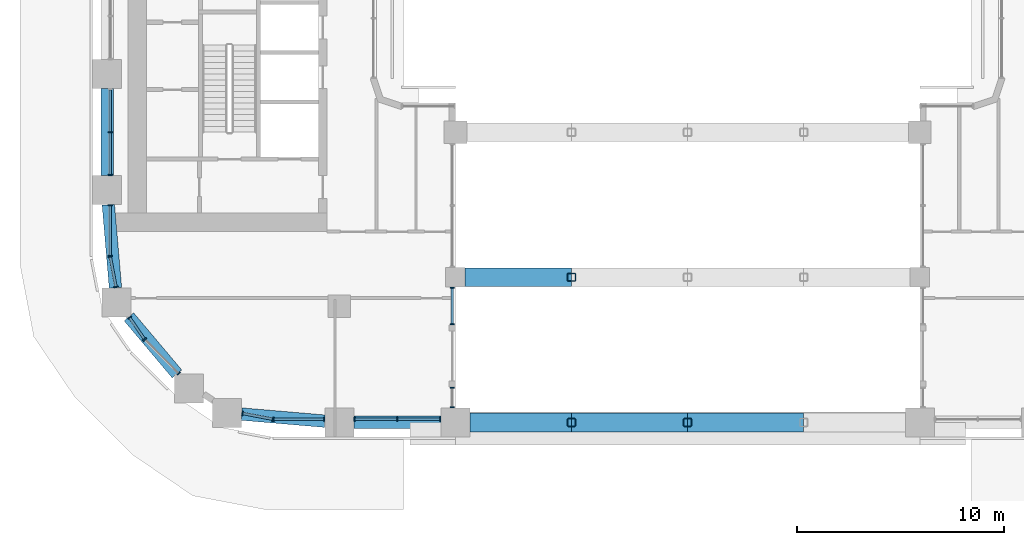
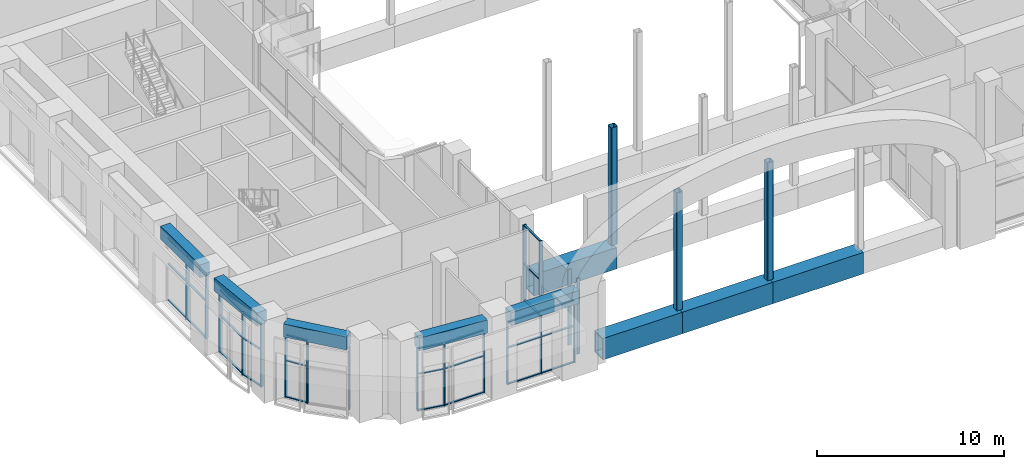
# One storey, part 2 of 27: 58 members, 5 beams, 10 elements without a shape of their own.
"""IFC4 building model written with IfcOpenShell, lengths in metres."""

from ifc_helpers import new_model, si_unit, direction, frame, origin, origin_2d, place, context, subcontext, project, spatial, rectangle, hollow_rectangle, extrude, material, layer, layer_set, material_profile, profile_set, type_object, element, aggregate, save


model = new_model("IFC4")

# Units and contexts
model_context = context("Model", 3, precision=1e-05, world=origin(), true_north=direction((0.0, 1.0)))
body_context = subcontext(model_context, "Body", "Model", "MODEL_VIEW")
ifc_project = project(units=[si_unit("LENGTHUNIT", "METRE"), si_unit("AREAUNIT", "SQUARE_METRE"), si_unit("VOLUMEUNIT", "CUBIC_METRE"), si_unit("PLANEANGLEUNIT", "RADIAN"), si_unit("MASSUNIT", "GRAM", prefix="KILO")], contexts=[model_context])

# Site, building, storey
site_placement = place(None, origin())
site = spatial("IfcSite", under=ifc_project, at=site_placement, CompositionType="ELEMENT")
building_placement = place(site_placement, origin())
building = spatial("IfcBuilding", under=site, at=building_placement, Name="Kiln Ring Residences", CompositionType="ELEMENT")
storey_placement = place(building_placement, frame((0.0, 0.0, 72.5)))
storey = spatial("IfcBuildingStorey", under=building, at=storey_placement, Name="L18", CompositionType="ELEMENT", Elevation=72.5)

# Members
ifc_material_1 = material(Name="Steel S460", Category="steel")
ifc_material_profile_1 = material_profile(ifc_material_1, hollow_rectangle(XDim=0.89990234375, YDim=1.39990234375, WallThickness=0.080078125, at=origin_2d()), Name="BOX1400x900x80")
ifc_profile_set_1 = profile_set([ifc_material_profile_1], Name="Steel S460")
member_type_1 = type_object("IfcMemberType", Name="Bridge truss chord BOX1400x900x80 S460", PredefinedType="CHORD", material=ifc_profile_set_1)
member_1_placement = place(storey_placement, frame((-10.5, -22.39990234375, 0.699951171875), z_axis=(1.0, 0.0, 0.0), x_axis=(0.0, 1.0, 0.0)))
element("IfcMember", 1, at=member_1_placement, inside=storey, type_object=member_type_1, Name="Bridge truss chord L18 1", PredefinedType="CHORD", context=body_context, shape_type="SweptSolid", body=[
    extrude(hollow_rectangle(XDim=0.89990234375, YDim=1.39990234375, WallThickness=0.080078125, at=origin_2d()), origin(), (0.0, 0.0, 1.0), 4.89990234375),
])
for number, where, z_axis, x_axis, name in (
    (2, (-5.60009765625, -22.39990234375, 0.699951171875), (1.0, 0.0, 0.0), (0.0, 1.0, 0.0), "Bridge truss chord L18 2"),
    (3, (0.0, -22.39990234375, 0.699951171875), (1.0, 0.0, 0.0), (0.0, 1.0, 0.0), "Bridge truss chord L18 3"),
):
    element("IfcMember", number, at=place(storey_placement, frame(where, z_axis=z_axis, x_axis=x_axis)), inside=storey, type_object=member_type_1, Name=name, PredefinedType="CHORD", context=body_context, shape_type="SweptSolid", body=[
        extrude(hollow_rectangle(XDim=0.89990234375, YDim=1.39990234375, WallThickness=0.080078125, at=origin_2d()), origin(), (0.0, 0.0, 1.0), 5.60009765625),
    ])
member_2_placement = place(storey_placement, frame((-10.72509765625, -15.39990234375, 0.699951171875), z_axis=(1.0, 0.0, 0.0), x_axis=(0.0, 1.0, 0.0)))
element("IfcMember", 4, at=member_2_placement, inside=storey, type_object=member_type_1, Name="Bridge truss chord L18 5", PredefinedType="CHORD", context=body_context, shape_type="SweptSolid", body=[
    extrude(hollow_rectangle(XDim=0.89990234375, YDim=1.39990234375, WallThickness=0.080078125, at=origin_2d()), origin(), (0.0, 0.0, 1.0), 5.125),
])
ifc_material_2 = material(Name="Steel S355", Category="steel")
ifc_material_profile_2 = material_profile(ifc_material_2, hollow_rectangle(XDim=0.39990234375, YDim=0.39990234375, WallThickness=0.02490234375, InnerFilletRadius=0.02490234375, OuterFilletRadius=0.0625, at=origin_2d()), Name="SHS400x400x25")
ifc_profile_set_2 = profile_set([ifc_material_profile_2], Name="Steel S355")
member_type_2 = type_object("IfcMemberType", Name="Bridge truss post SHS400x400x25 S355", PredefinedType="POST", material=ifc_profile_set_2)
for number, where, z_axis, x_axis, name in (
    (5, (-5.60009765625, -22.39990234375, 1.39990234375), (0.0, 0.0, 1.0), (1.0, 0.0, 0.0), "Bridge truss post L18 1"),
    (6, (0.0, -22.39990234375, 1.39990234375), (0.0, 0.0, 1.0), (1.0, 0.0, 0.0), "Bridge truss post L18 2"),
    (7, (-5.60009765625, -15.39990234375, 1.39990234375), (0.0, 0.0, 1.0), (1.0, 0.0, 0.0), "Bridge truss post L18 4"),
):
    element("IfcMember", number, at=place(storey_placement, frame(where, z_axis=z_axis, x_axis=x_axis)), inside=storey, type_object=member_type_2, Name=name, PredefinedType="POST", context=body_context, shape_type="SweptSolid", body=[
        extrude(hollow_rectangle(XDim=0.39990234375, YDim=0.39990234375, WallThickness=0.02490234375, InnerFilletRadius=0.02490234375, OuterFilletRadius=0.0625, at=origin_2d()), origin(), (0.0, 0.0, 1.0), 7.7001953125),
    ])

# Curtain wall, members
ifc_material_3 = material(Name="Aluminium and glass", Category="aluminium")
ifc_layer = layer(ifc_material_3, 0.199951171875)
ifc_layer_set = layer_set([ifc_layer], Name="CW1 CURTAIN WALL")
curtain_wall_type = type_object("IfcCurtainWallType", Name="CW1 CURTAIN WALL", PredefinedType="NOTDEFINED", material=ifc_layer_set)
placement = place(storey_placement, origin())
curtain_wall_1 = element("IfcCurtainWall", 8, at=placement, inside=storey, type_object=curtain_wall_type, Name="Curtain wall CW1 L18", PredefinedType="NOTDEFINED")
ifc_material_4 = material(Name="Aluminium 6063-T6", Category="aluminium")
ifc_material_profile_3 = material_profile(ifc_material_4, rectangle(XDim=0.199951171875, YDim=0.06005859375, at=origin_2d()), Name="AL 200x60")
ifc_profile_set_3 = profile_set([ifc_material_profile_3], Name="Aluminium 6063-T6")
member_type_3 = type_object("IfcMemberType", Name="CW1 MULLION 200 x 60", PredefinedType="MULLION", material=ifc_profile_set_3)
member_3_placement = place(storey_placement, frame((-27.846923828125, -14.4013671875, 0.0), z_axis=(0.0, 0.0, 1.0), x_axis=(0.982290257793, 0.187365550313, 0.0)))
member_3 = element("IfcMember", 9, at=member_3_placement, type_object=member_type_3, Name="CW1 mullion 1", PredefinedType="MULLION", context=body_context, shape_type="SweptSolid", body=[
    extrude(rectangle(XDim=0.199951171875, YDim=0.06005859375, at=origin_2d()), origin(), (0.0, 0.0, 1.0), 4.10009765625),
])
member_4_placement = place(storey_placement, frame((-27.566650390625, -15.87109375, 0.0), z_axis=(0.0, 0.0, 1.0), x_axis=(0.982290257793, 0.187365550313, 0.0)))
member_4 = element("IfcMember", 10, at=member_4_placement, type_object=member_type_3, Name="CW1 mullion 2", PredefinedType="MULLION", context=body_context, shape_type="SweptSolid", body=[
    extrude(rectangle(XDim=0.199951171875, YDim=0.06005859375, at=origin_2d()), origin(), (0.0, 0.0, 1.0), 4.10009765625),
])

curtain_wall_2 = element("IfcCurtainWall", 11, at=placement, inside=storey, type_object=curtain_wall_type, Name="Curtain wall CW1 L18", PredefinedType="NOTDEFINED")
member_5_placement = place(storey_placement, frame((-26.912353515625, -17.33349609375, 0.0), z_axis=(0.0, 0.0, 1.0), x_axis=(0.827071553439, 0.56209665138, 0.0)))
member_5 = element("IfcMember", 12, at=member_5_placement, type_object=member_type_3, Name="CW1 mullion 1", PredefinedType="MULLION", context=body_context, shape_type="SweptSolid", body=[
    extrude(rectangle(XDim=0.199951171875, YDim=0.06005859375, at=origin_2d()), origin(), (0.0, 0.0, 1.0), 4.10009765625),
])
member_6_placement = place(storey_placement, frame((-26.19580078125, -18.387939453125, 0.0), z_axis=(0.0, 0.0, 1.0), x_axis=(0.827071553439, 0.56209665138, 0.0)))
member_6 = element("IfcMember", 13, at=member_6_placement, type_object=member_type_3, Name="CW1 mullion 2", PredefinedType="MULLION", context=body_context, shape_type="SweptSolid", body=[
    extrude(rectangle(XDim=0.199951171875, YDim=0.06005859375, at=origin_2d()), origin(), (0.0, 0.0, 1.0), 4.10009765625),
])

curtain_wall_3 = element("IfcCurtainWall", 14, at=placement, inside=storey, type_object=curtain_wall_type, Name="Curtain wall CW1 L18", PredefinedType="NOTDEFINED")
member_7_placement = place(storey_placement, frame((-26.17578125, -18.412109375, 0.0), z_axis=(0.0, 0.0, 1.0), x_axis=(0.707106781187, 0.707106781187, 0.0)))
member_7 = element("IfcMember", 15, at=member_7_placement, type_object=member_type_3, Name="CW1 mullion 1", PredefinedType="MULLION", context=body_context, shape_type="SweptSolid", body=[
    extrude(rectangle(XDim=0.199951171875, YDim=0.06005859375, at=origin_2d()), origin(), (0.0, 0.0, 1.0), 4.10009765625),
])
member_8_placement = place(storey_placement, frame((-24.54931640625, -20.03857421875, 0.0), z_axis=(0.0, 0.0, 1.0), x_axis=(0.707106781187, 0.707106781187, 0.0)))
member_8 = element("IfcMember", 16, at=member_8_placement, type_object=member_type_3, Name="CW1 mullion 2", PredefinedType="MULLION", context=body_context, shape_type="SweptSolid", body=[
    extrude(rectangle(XDim=0.199951171875, YDim=0.06005859375, at=origin_2d()), origin(), (0.0, 0.0, 1.0), 4.10009765625),
])
aggregate(curtain_wall_3, [member_7, member_8])

curtain_wall_4 = element("IfcCurtainWall", 17, at=placement, inside=storey, type_object=curtain_wall_type, Name="Curtain wall CW1 L18", PredefinedType="NOTDEFINED")
member_9_placement = place(storey_placement, frame((-21.470947265625, -21.966796875, 0.0), z_axis=(0.0, 0.0, 1.0), x_axis=(0.187365550313, 0.982290257793, 0.0)))
member_9 = element("IfcMember", 18, at=member_9_placement, type_object=member_type_3, Name="CW1 mullion 1", PredefinedType="MULLION", context=body_context, shape_type="SweptSolid", body=[
    extrude(rectangle(XDim=0.199951171875, YDim=0.06005859375, at=origin_2d()), origin(), (0.0, 0.0, 1.0), 4.10009765625),
])
member_10_placement = place(storey_placement, frame((-20.00146484375, -22.2470703125, 0.0), z_axis=(0.0, 0.0, 1.0), x_axis=(0.187365550313, 0.982290257793, 0.0)))
member_10 = element("IfcMember", 19, at=member_10_placement, type_object=member_type_3, Name="CW1 mullion 2", PredefinedType="MULLION", context=body_context, shape_type="SweptSolid", body=[
    extrude(rectangle(XDim=0.199951171875, YDim=0.06005859375, at=origin_2d()), origin(), (0.0, 0.0, 1.0), 4.10009765625),
])

curtain_wall_5 = element("IfcCurtainWall", 20, at=placement, inside=storey, type_object=curtain_wall_type, Name="Curtain wall CW1 L18", PredefinedType="NOTDEFINED")
member_11_placement = place(storey_placement, frame((-19.969970703125, -22.25, 0.0), z_axis=(0.0, 0.0, 1.0), x_axis=(0.0, 1.0, 0.0)))
member_11 = element("IfcMember", 21, at=member_11_placement, type_object=member_type_3, Name="CW1 mullion 1", PredefinedType="MULLION", context=body_context, shape_type="SweptSolid", body=[
    extrude(rectangle(XDim=0.199951171875, YDim=0.06005859375, at=origin_2d()), origin(), (0.0, 0.0, 1.0), 4.10009765625),
])
member_12_placement = place(storey_placement, frame((-17.530029296875, -22.25, 0.0), z_axis=(0.0, 0.0, 1.0), x_axis=(0.0, 1.0, 0.0)))
member_12 = element("IfcMember", 22, at=member_12_placement, type_object=member_type_3, Name="CW1 mullion 2", PredefinedType="MULLION", context=body_context, shape_type="SweptSolid", body=[
    extrude(rectangle(XDim=0.199951171875, YDim=0.06005859375, at=origin_2d()), origin(), (0.0, 0.0, 1.0), 4.10009765625),
])

curtain_wall_6 = element("IfcCurtainWall", 23, at=placement, inside=storey, type_object=curtain_wall_type, Name="Curtain wall CW1 L18", PredefinedType="NOTDEFINED")
member_13_placement = place(storey_placement, frame((-16.070068359375, -22.25, 0.0), z_axis=(0.0, 0.0, 1.0), x_axis=(0.0, 1.0, 0.0)))
member_13 = element("IfcMember", 24, at=member_13_placement, type_object=member_type_3, Name="CW1 mullion 1", PredefinedType="MULLION", context=body_context, shape_type="SweptSolid", body=[
    extrude(rectangle(XDim=0.199951171875, YDim=0.06005859375, at=origin_2d()), origin(), (0.0, 0.0, 1.0), 4.10009765625),
])
member_14_placement = place(storey_placement, frame((-14.0, -22.25, 0.0), z_axis=(0.0, 0.0, 1.0), x_axis=(0.0, 1.0, 0.0)))
member_14 = element("IfcMember", 25, at=member_14_placement, type_object=member_type_3, Name="CW1 mullion 2", PredefinedType="MULLION", context=body_context, shape_type="SweptSolid", body=[
    extrude(rectangle(XDim=0.199951171875, YDim=0.06005859375, at=origin_2d()), origin(), (0.0, 0.0, 1.0), 4.10009765625),
])
member_15_placement = place(storey_placement, frame((-11.929931640625, -22.25, 0.0), z_axis=(0.0, 0.0, 1.0), x_axis=(0.0, 1.0, 0.0)))
member_15 = element("IfcMember", 26, at=member_15_placement, type_object=member_type_3, Name="CW1 mullion 3", PredefinedType="MULLION", context=body_context, shape_type="SweptSolid", body=[
    extrude(rectangle(XDim=0.199951171875, YDim=0.06005859375, at=origin_2d()), origin(), (0.0, 0.0, 1.0), 4.10009765625),
])

curtain_wall_7 = element("IfcCurtainWall", 27, at=placement, inside=storey, type_object=curtain_wall_type, Name="Curtain wall CW1 L18", PredefinedType="NOTDEFINED")
member_16_placement = place(storey_placement, frame((-11.35009765625, -21.669921875, 0.0), z_axis=(0.0, 0.0, 1.0), x_axis=(-1.0, 0.0, 0.0)))
member_16 = element("IfcMember", 28, at=member_16_placement, type_object=member_type_3, Name="CW1 mullion 1", PredefinedType="MULLION", context=body_context, shape_type="SweptSolid", body=[
    extrude(rectangle(XDim=0.199951171875, YDim=0.06005859375, at=origin_2d()), origin(), (0.0, 0.0, 1.0), 4.949951171875),
])
member_17_placement = place(storey_placement, frame((-11.35009765625, -20.72998046875, 0.0), z_axis=(0.0, 0.0, 1.0), x_axis=(-1.0, 0.0, 0.0)))
member_17 = element("IfcMember", 29, at=member_17_placement, type_object=member_type_3, Name="CW1 mullion 2", PredefinedType="MULLION", context=body_context, shape_type="SweptSolid", body=[
    extrude(rectangle(XDim=0.199951171875, YDim=0.06005859375, at=origin_2d()), origin(), (0.0, 0.0, 1.0), 4.949951171875),
])
aggregate(curtain_wall_7, [member_16, member_17])

curtain_wall_8 = element("IfcCurtainWall", 30, at=placement, inside=storey, type_object=curtain_wall_type, Name="Curtain wall CW1 L18", PredefinedType="NOTDEFINED")
member_18_placement = place(storey_placement, frame((-11.35009765625, -17.669921875, 0.0), z_axis=(0.0, 0.0, 1.0), x_axis=(-1.0, 0.0, 0.0)))
member_18 = element("IfcMember", 31, at=member_18_placement, type_object=member_type_3, Name="CW1 mullion 1", PredefinedType="MULLION", context=body_context, shape_type="SweptSolid", body=[
    extrude(rectangle(XDim=0.199951171875, YDim=0.06005859375, at=origin_2d()), origin(), (0.0, 0.0, 1.0), 4.949951171875),
])
member_19_placement = place(storey_placement, frame((-11.35009765625, -15.905029296875, 0.0), z_axis=(0.0, 0.0, 1.0), x_axis=(-1.0, 0.0, 0.0)))
member_19 = element("IfcMember", 32, at=member_19_placement, type_object=member_type_3, Name="CW1 mullion 2", PredefinedType="MULLION", context=body_context, shape_type="SweptSolid", body=[
    extrude(rectangle(XDim=0.199951171875, YDim=0.06005859375, at=origin_2d()), origin(), (0.0, 0.0, 1.0), 4.949951171875),
])

curtain_wall_9 = element("IfcCurtainWall", 33, at=placement, inside=storey, type_object=curtain_wall_type, Name="Curtain wall CW1 L18", PredefinedType="NOTDEFINED")
member_20_placement = place(storey_placement, frame((-27.85009765625, -8.39990234375, 0.0), z_axis=(0.0, 0.0, 1.0), x_axis=(1.0, 0.0, 0.0)))
member_20 = element("IfcMember", 34, at=member_20_placement, type_object=member_type_3, Name="CW1 mullion 2", PredefinedType="MULLION", context=body_context, shape_type="SweptSolid", body=[
    extrude(rectangle(XDim=0.199951171875, YDim=0.06005859375, at=origin_2d()), origin(), (0.0, 0.0, 1.0), 4.10009765625),
])
member_21_placement = place(storey_placement, frame((-27.85009765625, -10.469970703125, 0.0), z_axis=(0.0, 0.0, 1.0), x_axis=(1.0, 0.0, 0.0)))
member_21 = element("IfcMember", 35, at=member_21_placement, type_object=member_type_3, Name="CW1 mullion 3", PredefinedType="MULLION", context=body_context, shape_type="SweptSolid", body=[
    extrude(rectangle(XDim=0.199951171875, YDim=0.06005859375, at=origin_2d()), origin(), (0.0, 0.0, 1.0), 4.10009765625),
])

curtain_wall_10 = element("IfcCurtainWall", 36, at=placement, inside=storey, type_object=curtain_wall_type, Name="Curtain wall CW1 L18", PredefinedType="NOTDEFINED")
member_22_placement = place(storey_placement, frame((-27.85009765625, -11.929931640625, 0.0), z_axis=(0.0, 0.0, 1.0), x_axis=(1.0, 0.0, 0.0)))
member_22 = element("IfcMember", 37, at=member_22_placement, type_object=member_type_3, Name="CW1 mullion 1", PredefinedType="MULLION", context=body_context, shape_type="SweptSolid", body=[
    extrude(rectangle(XDim=0.199951171875, YDim=0.06005859375, at=origin_2d()), origin(), (0.0, 0.0, 1.0), 4.10009765625),
])
member_23_placement = place(storey_placement, frame((-27.85009765625, -14.3701171875, 0.0), z_axis=(0.0, 0.0, 1.0), x_axis=(1.0, 0.0, 0.0)))
member_23 = element("IfcMember", 38, at=member_23_placement, type_object=member_type_3, Name="CW1 mullion 2", PredefinedType="MULLION", context=body_context, shape_type="SweptSolid", body=[
    extrude(rectangle(XDim=0.199951171875, YDim=0.06005859375, at=origin_2d()), origin(), (0.0, 0.0, 1.0), 4.10009765625),
])

# Member
ifc_material_5 = material(Name="Aluminium 6063-T6", Category="aluminium")
ifc_material_profile_4 = material_profile(ifc_material_5, rectangle(XDim=0.1201171875, YDim=0.06005859375, at=origin_2d()), Name="AL 120x60")
ifc_profile_set_4 = profile_set([ifc_material_profile_4], Name="Aluminium 6063-T6")
member_type_4 = type_object("IfcMemberType", Name="CW1 TRANSOM 120 x 60", PredefinedType="USERDEFINED", material=ifc_profile_set_4)
member_24_placement = place(storey_placement, frame((-27.84130859375, -14.430908203125, 0.030029296875), z_axis=(0.187346465138, -0.982293897976, 0.0), x_axis=(0.982293897976, 0.187346465138, 0.0)))
member_24 = element("IfcMember", 39, at=member_24_placement, type_object=member_type_4, Name="CW1 transom 1.1", ObjectType="TRANSOM", PredefinedType="USERDEFINED", context=body_context, shape_type="SweptSolid", body=[
    extrude(rectangle(XDim=0.1201171875, YDim=0.06005859375, at=origin_2d()), origin(), (0.0, 0.0, 1.0), 1.43603515625),
])

member_25_placement = place(storey_placement, frame((-27.84130859375, -14.430908203125, 2.39990234375), z_axis=(0.187346465138, -0.982293897976, 0.0), x_axis=(0.982293897976, 0.187346465138, 0.0)))
member_25 = element("IfcMember", 40, at=member_25_placement, type_object=member_type_4, Name="CW1 transom 1.2", ObjectType="TRANSOM", PredefinedType="USERDEFINED", context=body_context, shape_type="SweptSolid", body=[
    extrude(rectangle(XDim=0.1201171875, YDim=0.06005859375, at=origin_2d()), origin(), (0.0, 0.0, 1.0), 1.43603515625),
])

member_26_placement = place(storey_placement, frame((-27.84130859375, -14.430908203125, 4.070068359375), z_axis=(0.187346465138, -0.982293897976, 0.0), x_axis=(0.982293897976, 0.187346465138, 0.0)))
member_26 = element("IfcMember", 41, at=member_26_placement, type_object=member_type_4, Name="CW1 transom 1.3", ObjectType="TRANSOM", PredefinedType="USERDEFINED", context=body_context, shape_type="SweptSolid", body=[
    extrude(rectangle(XDim=0.1201171875, YDim=0.06005859375, at=origin_2d()), origin(), (0.0, 0.0, 1.0), 1.43603515625),
])

aggregate(curtain_wall_1, [member_3, member_4, member_24, member_25, member_26])

member_27_placement = place(storey_placement, frame((-26.8955078125, -17.3583984375, 0.030029296875), z_axis=(0.562145091099, -0.82703863063, 0.0), x_axis=(0.82703863063, 0.562145091099, 0.0)))
member_27 = element("IfcMember", 42, at=member_27_placement, type_object=member_type_4, Name="CW1 transom 1.1", ObjectType="TRANSOM", PredefinedType="USERDEFINED", context=body_context, shape_type="SweptSolid", body=[
    extrude(rectangle(XDim=0.1201171875, YDim=0.06005859375, at=origin_2d()), origin(), (0.0, 0.0, 1.0), 1.21484375),
])

member_28_placement = place(storey_placement, frame((-26.8955078125, -17.3583984375, 2.39990234375), z_axis=(0.562145091099, -0.82703863063, 0.0), x_axis=(0.82703863063, 0.562145091099, 0.0)))
member_28 = element("IfcMember", 43, at=member_28_placement, type_object=member_type_4, Name="CW1 transom 1.2", ObjectType="TRANSOM", PredefinedType="USERDEFINED", context=body_context, shape_type="SweptSolid", body=[
    extrude(rectangle(XDim=0.1201171875, YDim=0.06005859375, at=origin_2d()), origin(), (0.0, 0.0, 1.0), 1.21484375),
])

member_29_placement = place(storey_placement, frame((-26.8955078125, -17.3583984375, 4.070068359375), z_axis=(0.562145091099, -0.82703863063, 0.0), x_axis=(0.82703863063, 0.562145091099, 0.0)))
member_29 = element("IfcMember", 44, at=member_29_placement, type_object=member_type_4, Name="CW1 transom 1.3", ObjectType="TRANSOM", PredefinedType="USERDEFINED", context=body_context, shape_type="SweptSolid", body=[
    extrude(rectangle(XDim=0.1201171875, YDim=0.06005859375, at=origin_2d()), origin(), (0.0, 0.0, 1.0), 1.21484375),
])

aggregate(curtain_wall_2, [member_5, member_6, member_27, member_28, member_29])

member_30_placement = place(storey_placement, frame((-21.44140625, -21.972412109375, 0.030029296875), z_axis=(0.982293897976, -0.187346465138, 0.0), x_axis=(0.187346465138, 0.982293897976, 0.0)))
member_30 = element("IfcMember", 45, at=member_30_placement, type_object=member_type_4, Name="CW1 transom 1.1", ObjectType="TRANSOM", PredefinedType="USERDEFINED", context=body_context, shape_type="SweptSolid", body=[
    extrude(rectangle(XDim=0.1201171875, YDim=0.06005859375, at=origin_2d()), origin(), (0.0, 0.0, 1.0), 1.43603515625),
])

member_31_placement = place(storey_placement, frame((-21.44140625, -21.972412109375, 2.39990234375), z_axis=(0.982293897976, -0.187346465138, 0.0), x_axis=(0.187346465138, 0.982293897976, 0.0)))
member_31 = element("IfcMember", 46, at=member_31_placement, type_object=member_type_4, Name="CW1 transom 1.2", ObjectType="TRANSOM", PredefinedType="USERDEFINED", context=body_context, shape_type="SweptSolid", body=[
    extrude(rectangle(XDim=0.1201171875, YDim=0.06005859375, at=origin_2d()), origin(), (0.0, 0.0, 1.0), 1.43603515625),
])

member_32_placement = place(storey_placement, frame((-21.44140625, -21.972412109375, 4.070068359375), z_axis=(0.982293897976, -0.187346465138, 0.0), x_axis=(0.187346465138, 0.982293897976, 0.0)))
member_32 = element("IfcMember", 47, at=member_32_placement, type_object=member_type_4, Name="CW1 transom 1.3", ObjectType="TRANSOM", PredefinedType="USERDEFINED", context=body_context, shape_type="SweptSolid", body=[
    extrude(rectangle(XDim=0.1201171875, YDim=0.06005859375, at=origin_2d()), origin(), (0.0, 0.0, 1.0), 1.43603515625),
])

aggregate(curtain_wall_4, [member_9, member_10, member_30, member_31, member_32])

member_33_placement = place(storey_placement, frame((-19.93994140625, -22.25, 0.030029296875), z_axis=(1.0, 0.0, 0.0), x_axis=(0.0, 1.0, 0.0)))
member_33 = element("IfcMember", 48, at=member_33_placement, type_object=member_type_4, Name="CW1 transom 1.1", ObjectType="TRANSOM", PredefinedType="USERDEFINED", context=body_context, shape_type="SweptSolid", body=[
    extrude(rectangle(XDim=0.1201171875, YDim=0.06005859375, at=origin_2d()), origin(), (0.0, 0.0, 1.0), 2.3798828125),
])

member_34_placement = place(storey_placement, frame((-19.93994140625, -22.25, 2.39990234375), z_axis=(1.0, 0.0, 0.0), x_axis=(0.0, 1.0, 0.0)))
member_34 = element("IfcMember", 49, at=member_34_placement, type_object=member_type_4, Name="CW1 transom 1.2", ObjectType="TRANSOM", PredefinedType="USERDEFINED", context=body_context, shape_type="SweptSolid", body=[
    extrude(rectangle(XDim=0.1201171875, YDim=0.06005859375, at=origin_2d()), origin(), (0.0, 0.0, 1.0), 2.3798828125),
])

member_35_placement = place(storey_placement, frame((-19.93994140625, -22.25, 4.070068359375), z_axis=(1.0, 0.0, 0.0), x_axis=(0.0, 1.0, 0.0)))
member_35 = element("IfcMember", 50, at=member_35_placement, type_object=member_type_4, Name="CW1 transom 1.3", ObjectType="TRANSOM", PredefinedType="USERDEFINED", context=body_context, shape_type="SweptSolid", body=[
    extrude(rectangle(XDim=0.1201171875, YDim=0.06005859375, at=origin_2d()), origin(), (0.0, 0.0, 1.0), 2.3798828125),
])

aggregate(curtain_wall_5, [member_11, member_12, member_33, member_34, member_35])

member_36_placement = place(storey_placement, frame((-16.0400390625, -22.25, 0.030029296875), z_axis=(1.0, 0.0, 0.0), x_axis=(0.0, 1.0, 0.0)))
member_36 = element("IfcMember", 51, at=member_36_placement, type_object=member_type_4, Name="CW1 transom 1.1", ObjectType="TRANSOM", PredefinedType="USERDEFINED", context=body_context, shape_type="SweptSolid", body=[
    extrude(rectangle(XDim=0.1201171875, YDim=0.06005859375, at=origin_2d()), origin(), (0.0, 0.0, 1.0), 2.010009765625),
])

member_37_placement = place(storey_placement, frame((-16.0400390625, -22.25, 2.39990234375), z_axis=(1.0, 0.0, 0.0), x_axis=(0.0, 1.0, 0.0)))
member_37 = element("IfcMember", 52, at=member_37_placement, type_object=member_type_4, Name="CW1 transom 1.2", ObjectType="TRANSOM", PredefinedType="USERDEFINED", context=body_context, shape_type="SweptSolid", body=[
    extrude(rectangle(XDim=0.1201171875, YDim=0.06005859375, at=origin_2d()), origin(), (0.0, 0.0, 1.0), 2.010009765625),
])

member_38_placement = place(storey_placement, frame((-16.0400390625, -22.25, 4.070068359375), z_axis=(1.0, 0.0, 0.0), x_axis=(0.0, 1.0, 0.0)))
member_38 = element("IfcMember", 53, at=member_38_placement, type_object=member_type_4, Name="CW1 transom 1.3", ObjectType="TRANSOM", PredefinedType="USERDEFINED", context=body_context, shape_type="SweptSolid", body=[
    extrude(rectangle(XDim=0.1201171875, YDim=0.06005859375, at=origin_2d()), origin(), (0.0, 0.0, 1.0), 2.010009765625),
])

member_39_placement = place(storey_placement, frame((-13.969970703125, -22.25, 0.030029296875), z_axis=(1.0, 0.0, 0.0), x_axis=(0.0, 1.0, 0.0)))
member_39 = element("IfcMember", 54, at=member_39_placement, type_object=member_type_4, Name="CW1 transom 2.1", ObjectType="TRANSOM", PredefinedType="USERDEFINED", context=body_context, shape_type="SweptSolid", body=[
    extrude(rectangle(XDim=0.1201171875, YDim=0.06005859375, at=origin_2d()), origin(), (0.0, 0.0, 1.0), 2.010009765625),
])

member_40_placement = place(storey_placement, frame((-13.969970703125, -22.25, 2.39990234375), z_axis=(1.0, 0.0, 0.0), x_axis=(0.0, 1.0, 0.0)))
member_40 = element("IfcMember", 55, at=member_40_placement, type_object=member_type_4, Name="CW1 transom 2.2", ObjectType="TRANSOM", PredefinedType="USERDEFINED", context=body_context, shape_type="SweptSolid", body=[
    extrude(rectangle(XDim=0.1201171875, YDim=0.06005859375, at=origin_2d()), origin(), (0.0, 0.0, 1.0), 2.010009765625),
])

member_41_placement = place(storey_placement, frame((-13.969970703125, -22.25, 4.070068359375), z_axis=(1.0, 0.0, 0.0), x_axis=(0.0, 1.0, 0.0)))
member_41 = element("IfcMember", 56, at=member_41_placement, type_object=member_type_4, Name="CW1 transom 2.3", ObjectType="TRANSOM", PredefinedType="USERDEFINED", context=body_context, shape_type="SweptSolid", body=[
    extrude(rectangle(XDim=0.1201171875, YDim=0.06005859375, at=origin_2d()), origin(), (0.0, 0.0, 1.0), 2.010009765625),
])

aggregate(curtain_wall_6, [member_13, member_14, member_15, member_36, member_37, member_38, member_39, member_40, member_41])

member_42_placement = place(storey_placement, frame((-11.35009765625, -17.639892578125, 0.030029296875), z_axis=(0.0, 1.0, 0.0), x_axis=(-1.0, 0.0, 0.0)))
member_42 = element("IfcMember", 57, at=member_42_placement, type_object=member_type_4, Name="CW1 transom 1.1", ObjectType="TRANSOM", PredefinedType="USERDEFINED", context=body_context, shape_type="SweptSolid", body=[
    extrude(rectangle(XDim=0.1201171875, YDim=0.06005859375, at=origin_2d()), origin(), (0.0, 0.0, 1.0), 1.704833984375),
])

member_43_placement = place(storey_placement, frame((-11.35009765625, -17.639892578125, 2.39990234375), z_axis=(0.0, 1.0, 0.0), x_axis=(-1.0, 0.0, 0.0)))
member_43 = element("IfcMember", 58, at=member_43_placement, type_object=member_type_4, Name="CW1 transom 1.2", ObjectType="TRANSOM", PredefinedType="USERDEFINED", context=body_context, shape_type="SweptSolid", body=[
    extrude(rectangle(XDim=0.1201171875, YDim=0.06005859375, at=origin_2d()), origin(), (0.0, 0.0, 1.0), 1.704833984375),
])

member_44_placement = place(storey_placement, frame((-11.35009765625, -17.639892578125, 4.919921875), z_axis=(0.0, 1.0, 0.0), x_axis=(-1.0, 0.0, 0.0)))
member_44 = element("IfcMember", 59, at=member_44_placement, type_object=member_type_4, Name="CW1 transom 1.3", ObjectType="TRANSOM", PredefinedType="USERDEFINED", context=body_context, shape_type="SweptSolid", body=[
    extrude(rectangle(XDim=0.1201171875, YDim=0.06005859375, at=origin_2d()), origin(), (0.0, 0.0, 1.0), 1.704833984375),
])

aggregate(curtain_wall_8, [member_18, member_19, member_42, member_43, member_44])

member_45_placement = place(storey_placement, frame((-27.85009765625, -6.360107421875, 0.030029296875), z_axis=(0.0, -1.0, 0.0), x_axis=(1.0, 0.0, 0.0)))
member_45 = element("IfcMember", 60, at=member_45_placement, type_object=member_type_4, Name="CW1 transom 1.1", ObjectType="TRANSOM", PredefinedType="USERDEFINED", context=body_context, shape_type="SweptSolid", body=[
    extrude(rectangle(XDim=0.1201171875, YDim=0.06005859375, at=origin_2d()), origin(), (0.0, 0.0, 1.0), 2.010009765625),
])

member_46_placement = place(storey_placement, frame((-27.85009765625, -6.360107421875, 2.39990234375), z_axis=(0.0, -1.0, 0.0), x_axis=(1.0, 0.0, 0.0)))
member_46 = element("IfcMember", 61, at=member_46_placement, type_object=member_type_4, Name="CW1 transom 1.2", ObjectType="TRANSOM", PredefinedType="USERDEFINED", context=body_context, shape_type="SweptSolid", body=[
    extrude(rectangle(XDim=0.1201171875, YDim=0.06005859375, at=origin_2d()), origin(), (0.0, 0.0, 1.0), 2.010009765625),
])

member_47_placement = place(storey_placement, frame((-27.85009765625, -6.360107421875, 4.070068359375), z_axis=(0.0, -1.0, 0.0), x_axis=(1.0, 0.0, 0.0)))
member_47 = element("IfcMember", 62, at=member_47_placement, type_object=member_type_4, Name="CW1 transom 1.3", ObjectType="TRANSOM", PredefinedType="USERDEFINED", context=body_context, shape_type="SweptSolid", body=[
    extrude(rectangle(XDim=0.1201171875, YDim=0.06005859375, at=origin_2d()), origin(), (0.0, 0.0, 1.0), 2.010009765625),
])

member_48_placement = place(storey_placement, frame((-27.85009765625, -8.429931640625, 0.030029296875), z_axis=(0.0, -1.0, 0.0), x_axis=(1.0, 0.0, 0.0)))
member_48 = element("IfcMember", 63, at=member_48_placement, type_object=member_type_4, Name="CW1 transom 2.1", ObjectType="TRANSOM", PredefinedType="USERDEFINED", context=body_context, shape_type="SweptSolid", body=[
    extrude(rectangle(XDim=0.1201171875, YDim=0.06005859375, at=origin_2d()), origin(), (0.0, 0.0, 1.0), 2.010009765625),
])

member_49_placement = place(storey_placement, frame((-27.85009765625, -8.429931640625, 2.39990234375), z_axis=(0.0, -1.0, 0.0), x_axis=(1.0, 0.0, 0.0)))
member_49 = element("IfcMember", 64, at=member_49_placement, type_object=member_type_4, Name="CW1 transom 2.2", ObjectType="TRANSOM", PredefinedType="USERDEFINED", context=body_context, shape_type="SweptSolid", body=[
    extrude(rectangle(XDim=0.1201171875, YDim=0.06005859375, at=origin_2d()), origin(), (0.0, 0.0, 1.0), 2.010009765625),
])

member_50_placement = place(storey_placement, frame((-27.85009765625, -8.429931640625, 4.070068359375), z_axis=(0.0, -1.0, 0.0), x_axis=(1.0, 0.0, 0.0)))
member_50 = element("IfcMember", 65, at=member_50_placement, type_object=member_type_4, Name="CW1 transom 2.3", ObjectType="TRANSOM", PredefinedType="USERDEFINED", context=body_context, shape_type="SweptSolid", body=[
    extrude(rectangle(XDim=0.1201171875, YDim=0.06005859375, at=origin_2d()), origin(), (0.0, 0.0, 1.0), 2.010009765625),
])

aggregate(curtain_wall_9, [member_20, member_21, member_45, member_46, member_47, member_48, member_49, member_50])

member_51_placement = place(storey_placement, frame((-27.85009765625, -11.9599609375, 0.030029296875), z_axis=(0.0, -1.0, 0.0), x_axis=(1.0, 0.0, 0.0)))
member_51 = element("IfcMember", 66, at=member_51_placement, type_object=member_type_4, Name="CW1 transom 1.1", ObjectType="TRANSOM", PredefinedType="USERDEFINED", context=body_context, shape_type="SweptSolid", body=[
    extrude(rectangle(XDim=0.1201171875, YDim=0.06005859375, at=origin_2d()), origin(), (0.0, 0.0, 1.0), 2.380126953125),
])

member_52_placement = place(storey_placement, frame((-27.85009765625, -11.9599609375, 2.39990234375), z_axis=(0.0, -1.0, 0.0), x_axis=(1.0, 0.0, 0.0)))
member_52 = element("IfcMember", 67, at=member_52_placement, type_object=member_type_4, Name="CW1 transom 1.2", ObjectType="TRANSOM", PredefinedType="USERDEFINED", context=body_context, shape_type="SweptSolid", body=[
    extrude(rectangle(XDim=0.1201171875, YDim=0.06005859375, at=origin_2d()), origin(), (0.0, 0.0, 1.0), 2.380126953125),
])

member_53_placement = place(storey_placement, frame((-27.85009765625, -11.9599609375, 4.070068359375), z_axis=(0.0, -1.0, 0.0), x_axis=(1.0, 0.0, 0.0)))
member_53 = element("IfcMember", 68, at=member_53_placement, type_object=member_type_4, Name="CW1 transom 1.3", ObjectType="TRANSOM", PredefinedType="USERDEFINED", context=body_context, shape_type="SweptSolid", body=[
    extrude(rectangle(XDim=0.1201171875, YDim=0.06005859375, at=origin_2d()), origin(), (0.0, 0.0, 1.0), 2.380126953125),
])

aggregate(curtain_wall_10, [member_22, member_23, member_51, member_52, member_53])

# Beams
ifc_material_6 = material(Name="Concrete C50/60", Category="concrete")
ifc_material_profile_5 = material_profile(ifc_material_6, rectangle(XDim=0.60009765625, YDim=0.85009765625, at=origin_2d()), Name="RC600x850")
ifc_profile_set_5 = profile_set([ifc_material_profile_5], Name="Concrete C50/60")
beam_type = type_object("IfcBeamType", Name="Spandrel beam RC600x850 C50/60", PredefinedType="SPANDREL", material=ifc_profile_set_5)
beam_1_placement = place(storey_placement, frame((-21.5087890625, -21.997802734375, 4.52490234375), z_axis=(0.996369479058, -0.085134371444, 0.0), x_axis=(0.085134371444, 0.996369479058, 0.0)))
element("IfcBeam", 69, at=beam_1_placement, inside=storey, type_object=beam_type, Name="Spandrel beam L18 1", PredefinedType="SPANDREL", context=body_context, shape_type="SweptSolid", body=[
    extrude(rectangle(XDim=0.60009765625, YDim=0.85009765625, at=origin_2d()), origin(), (0.0, 0.0, 1.0), 4.0234375),
])
beam_2_placement = place(storey_placement, frame((-16.10009765625, -22.39990234375, 4.52490234375), z_axis=(1.0, 0.0, 0.0), x_axis=(0.0, 1.0, 0.0)))
element("IfcBeam", 70, at=beam_2_placement, inside=storey, type_object=beam_type, Name="Spandrel beam L18 2", PredefinedType="SPANDREL", context=body_context, shape_type="SweptSolid", body=[
    extrude(rectangle(XDim=0.60009765625, YDim=0.85009765625, at=origin_2d()), origin(), (0.0, 0.0, 1.0), 4.2001953125),
])
beam_3_placement = place(storey_placement, frame((-28.0, -6.300048828125, 4.52490234375), z_axis=(0.0, -1.0, 0.0), x_axis=(1.0, 0.0, 0.0)))
element("IfcBeam", 71, at=beam_3_placement, inside=storey, type_object=beam_type, Name="Spandrel beam L18 22", PredefinedType="SPANDREL", context=body_context, shape_type="SweptSolid", body=[
    extrude(rectangle(XDim=0.60009765625, YDim=0.85009765625, at=origin_2d()), origin(), (0.0, 0.0, 1.0), 4.199951171875),
])
beam_4_placement = place(storey_placement, frame((-27.940185546875, -11.89990234375, 4.52490234375), z_axis=(0.085074130543, -0.996374624482, 0.0), x_axis=(0.996374624482, 0.085074130543, 0.0)))
element("IfcBeam", 72, at=beam_4_placement, inside=storey, type_object=beam_type, Name="Spandrel beam L18 23", PredefinedType="SPANDREL", context=body_context, shape_type="SweptSolid", body=[
    extrude(rectangle(XDim=0.60009765625, YDim=0.85009765625, at=origin_2d()), origin(), (0.0, 0.0, 1.0), 4.0234375),
])
beam_5_placement = place(storey_placement, frame((-26.9482421875, -17.30859375, 4.52490234375), z_axis=(0.644346785428, -0.764733430751, 0.0), x_axis=(0.764733430751, 0.644346785428, 0.0)))
element("IfcBeam", 73, at=beam_5_placement, inside=storey, type_object=beam_type, Name="Spandrel beam L18 24", PredefinedType="SPANDREL", context=body_context, shape_type="SweptSolid", body=[
    extrude(rectangle(XDim=0.60009765625, YDim=0.85009765625, at=origin_2d()), origin(), (0.0, 0.0, 1.0), 3.59765625),
])

save(model, "model.ifc")
